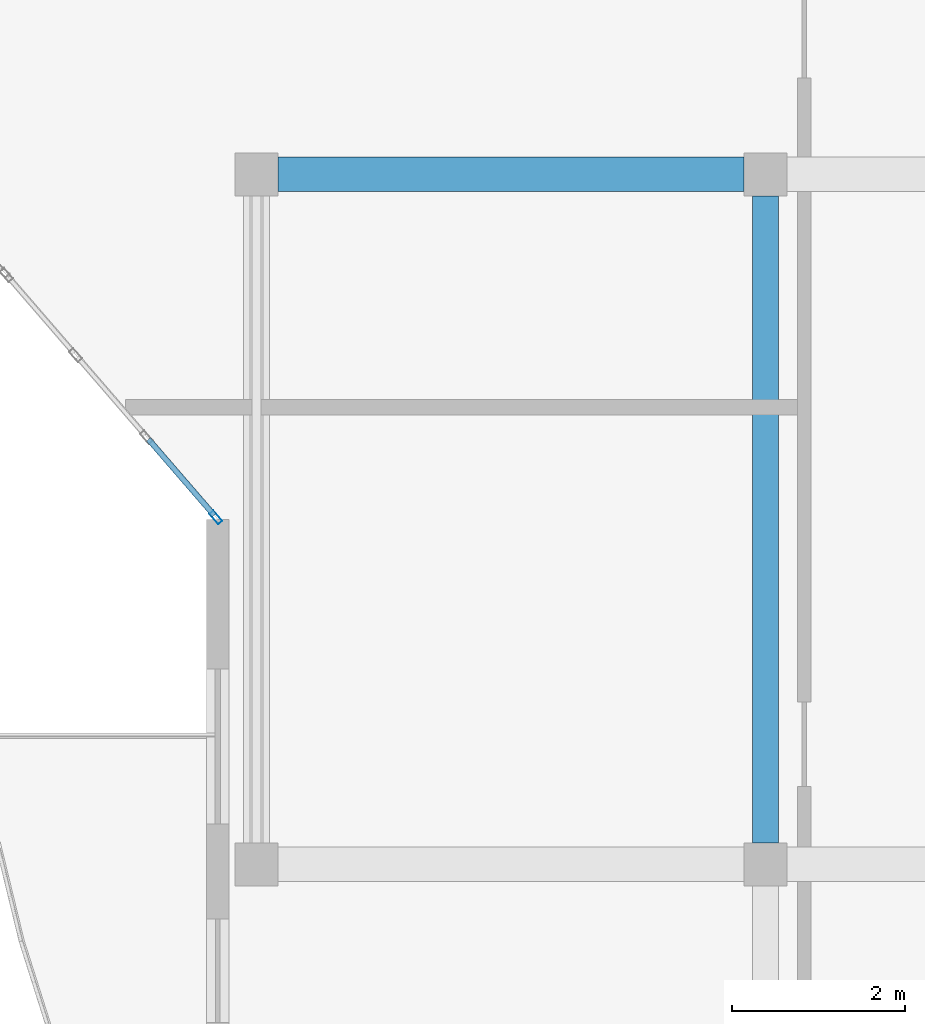
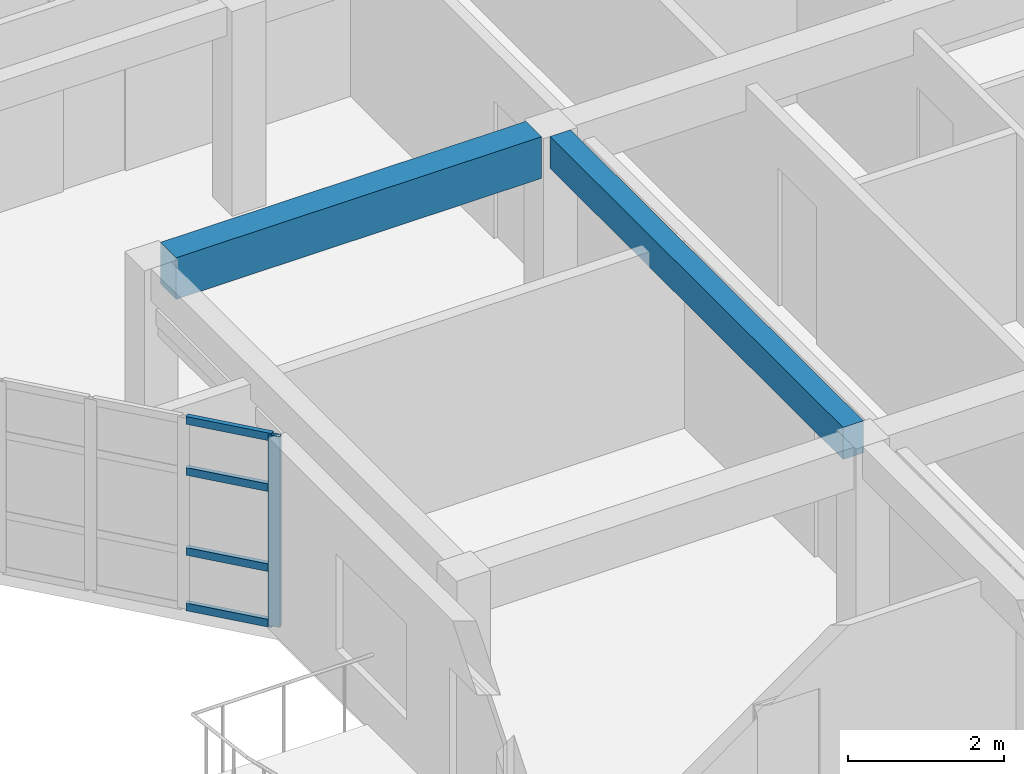
# One storey, part 7 of 39: 5 members, 2 beams, 1 element without a shape of its own.
"""IFC4 building model written with IfcOpenShell, lengths in metres."""

from ifc_helpers import new_model, si_unit, direction, frame, origin, origin_2d, place, context, subcontext, project, spatial, rectangle, hollow_rectangle, extrude, material, layer, layer_set, material_profile, profile_set, type_object, element, aggregate, save


model = new_model("IFC4")

# Units and contexts
model_context = context("Model", 3, precision=1e-05, world=origin(), true_north=direction((0.0, 1.0)))
body_context = subcontext(model_context, "Body", "Model", "MODEL_VIEW")
ifc_project = project(units=[si_unit("LENGTHUNIT", "METRE"), si_unit("AREAUNIT", "SQUARE_METRE"), si_unit("VOLUMEUNIT", "CUBIC_METRE"), si_unit("PLANEANGLEUNIT", "RADIAN"), si_unit("MASSUNIT", "GRAM", prefix="KILO")], contexts=[model_context])

# Site, building, storey
site_placement = place(None, origin())
site = spatial("IfcSite", under=ifc_project, at=site_placement, CompositionType="ELEMENT")
building_placement = place(site_placement, origin())
building = spatial("IfcBuilding", under=site, at=building_placement, Name="Keldmere Railside Commons", CompositionType="ELEMENT")
storey_placement = place(building_placement, frame((0.0, 0.0, 32.9599609375)))
storey = spatial("IfcBuildingStorey", under=building, at=storey_placement, Name="L10", CompositionType="ELEMENT", Elevation=32.9599609375)

# Beams
ifc_material_1 = material(Name="Concrete H-30 (C30/37)", Category="concrete")
ifc_material_profile_1 = material_profile(ifc_material_1, rectangle(XDim=0.39990234375, YDim=0.64990234375, at=origin_2d()), Name="RC-400x650")
ifc_profile_set_1 = profile_set([ifc_material_profile_1], Name="Concrete H-30 (C30/37)")
beam_type_1 = type_object("IfcBeamType", Name="Residential Spine RC Girder 400x650", PredefinedType="BEAM", material=ifc_profile_set_1)
beam_1_placement = place(storey_placement, frame((104.699951171875, 96.0, 2.875), z_axis=(1.0, 0.0, 0.0), x_axis=(0.0, 1.0, 0.0)))
element("IfcBeam", 1, at=beam_1_placement, inside=storey, type_object=beam_type_1, Name="BG-3 BM-L10-2379", PredefinedType="BEAM", context=body_context, shape_type="SweptSolid", body=[
    extrude(rectangle(XDim=0.39990234375, YDim=0.64990234375, at=origin_2d()), origin(), (0.0, 0.0, 1.0), 5.400146484375),
])
ifc_material_profile_2 = material_profile(ifc_material_1, rectangle(XDim=0.300048828125, YDim=0.5, at=origin_2d()), Name="RC-300x500")
ifc_profile_set_2 = profile_set([ifc_material_profile_2], Name="Concrete H-30 (C30/37)")
beam_type_2 = type_object("IfcBeamType", Name="Secondary Frame RC Beam 300x500", PredefinedType="BEAM", material=ifc_profile_set_2)
beam_2_placement = place(storey_placement, frame((110.35009765625, 88.25, 2.949951171875), z_axis=(0.0, 1.0, 0.0), x_axis=(-1.0, 0.0, 0.0)))
element("IfcBeam", 2, at=beam_2_placement, inside=storey, type_object=beam_type_2, Name="BG-5 BM-L10-2407", PredefinedType="BEAM", context=body_context, shape_type="SweptSolid", body=[
    extrude(rectangle(XDim=0.300048828125, YDim=0.5, at=origin_2d()), origin(), (0.0, 0.0, 1.0), 7.5),
])

# Curtain wall, members
ifc_material_2 = material(Name="Thermally Broken Aluminium", Category="aluminium")
ifc_layer = layer(ifc_material_2, 0.159912109375, Name="Court Chord Wintergarden CW 4800x2850")
ifc_layer_set = layer_set([ifc_layer], Name="Thermally Broken Aluminium")
curtain_wall_type = type_object("IfcCurtainWallType", Name="Court Chord Wintergarden CW 4800x2850", PredefinedType="NOTDEFINED", material=ifc_layer_set)
curtain_wall_placement = place(storey_placement, origin())
curtain_wall = element("IfcCurtainWall", 3, at=curtain_wall_placement, inside=storey, type_object=curtain_wall_type, Name="CW-12 CW-L10-150", PredefinedType="NOTDEFINED")
ifc_material_profile_3 = material_profile(ifc_material_2, hollow_rectangle(XDim=0.06494140625, YDim=0.159912109375, WallThickness=0.00390625, at=origin_2d()), Name="ALU-MULL-65x160")
ifc_profile_set_3 = profile_set([ifc_material_profile_3], Name="Thermally Broken Aluminium")
member_type_1 = type_object("IfcMemberType", Name="Unitised Curtain Wall Mullion 65x160", PredefinedType="MULLION", material=ifc_profile_set_3)
member_1_placement = place(storey_placement, frame((103.978759765625, 92.024658203125, 0.0), z_axis=(0.0, 0.0, 1.0), x_axis=(-0.756596767584, -0.653881741053, 0.0)))
member_1 = element("IfcMember", 4, at=member_1_placement, type_object=member_type_1, Name="CW-12 mullion 1", PredefinedType="MULLION", context=body_context, shape_type="SweptSolid", body=[
    extrude(hollow_rectangle(XDim=0.06494140625, YDim=0.159912109375, WallThickness=0.00390625, at=origin_2d()), origin(), (0.0, 0.0, 1.0), 2.97998046875),
])
ifc_material_profile_4 = material_profile(ifc_material_2, hollow_rectangle(XDim=0.06494140625, YDim=0.1201171875, WallThickness=0.00390625, at=origin_2d()), Name="ALU-TRAN-65x120")
ifc_profile_set_4 = profile_set([ifc_material_profile_4], Name="Thermally Broken Aluminium")
member_type_2 = type_object("IfcMemberType", Name="Unitised Curtain Wall Transom 65x120", PredefinedType="USERDEFINED", material=ifc_profile_set_4)
member_2_placement = place(storey_placement, frame((103.95751953125, 92.049072265625, 0.032470703125), z_axis=(-0.653849663033, 0.756624489527, 0.0), x_axis=(-0.756624489527, -0.653849663033, 0.0)))
member_2 = element("IfcMember", 5, at=member_2_placement, type_object=member_type_2, Name="CW-12 transom 1.1", ObjectType="TRANSOM", PredefinedType="USERDEFINED", context=body_context, shape_type="SweptSolid", body=[
    extrude(hollow_rectangle(XDim=0.06494140625, YDim=0.1201171875, WallThickness=0.00390625, at=origin_2d()), origin(), (0.0, 0.0, 1.0), 1.16162109375),
])
member_3_placement = place(storey_placement, frame((103.95751953125, 92.049072265625, 0.900146484375), z_axis=(-0.653849663033, 0.756624489527, 0.0), x_axis=(-0.756624489527, -0.653849663033, 0.0)))
member_3 = element("IfcMember", 6, at=member_3_placement, type_object=member_type_2, Name="CW-12 transom 1.2", ObjectType="TRANSOM", PredefinedType="USERDEFINED", context=body_context, shape_type="SweptSolid", body=[
    extrude(hollow_rectangle(XDim=0.06494140625, YDim=0.1201171875, WallThickness=0.00390625, at=origin_2d()), origin(), (0.0, 0.0, 1.0), 1.16162109375),
])
member_4_placement = place(storey_placement, frame((103.95751953125, 92.049072265625, 2.150146484375), z_axis=(-0.653849663033, 0.756624489527, 0.0), x_axis=(-0.756624489527, -0.653849663033, 0.0)))
member_4 = element("IfcMember", 7, at=member_4_placement, type_object=member_type_2, Name="CW-12 transom 1.3", ObjectType="TRANSOM", PredefinedType="USERDEFINED", context=body_context, shape_type="SweptSolid", body=[
    extrude(hollow_rectangle(XDim=0.06494140625, YDim=0.1201171875, WallThickness=0.00390625, at=origin_2d()), origin(), (0.0, 0.0, 1.0), 1.16162109375),
])
member_5_placement = place(storey_placement, frame((103.95751953125, 92.049072265625, 2.947509765625), z_axis=(-0.653849663033, 0.756624489527, 0.0), x_axis=(-0.756624489527, -0.653849663033, 0.0)))
member_5 = element("IfcMember", 8, at=member_5_placement, type_object=member_type_2, Name="CW-12 transom 1.4", ObjectType="TRANSOM", PredefinedType="USERDEFINED", context=body_context, shape_type="SweptSolid", body=[
    extrude(hollow_rectangle(XDim=0.06494140625, YDim=0.1201171875, WallThickness=0.00390625, at=origin_2d()), origin(), (0.0, 0.0, 1.0), 1.16162109375),
])
aggregate(curtain_wall, [member_1, member_2, member_3, member_4, member_5])

save(model, "model.ifc")
